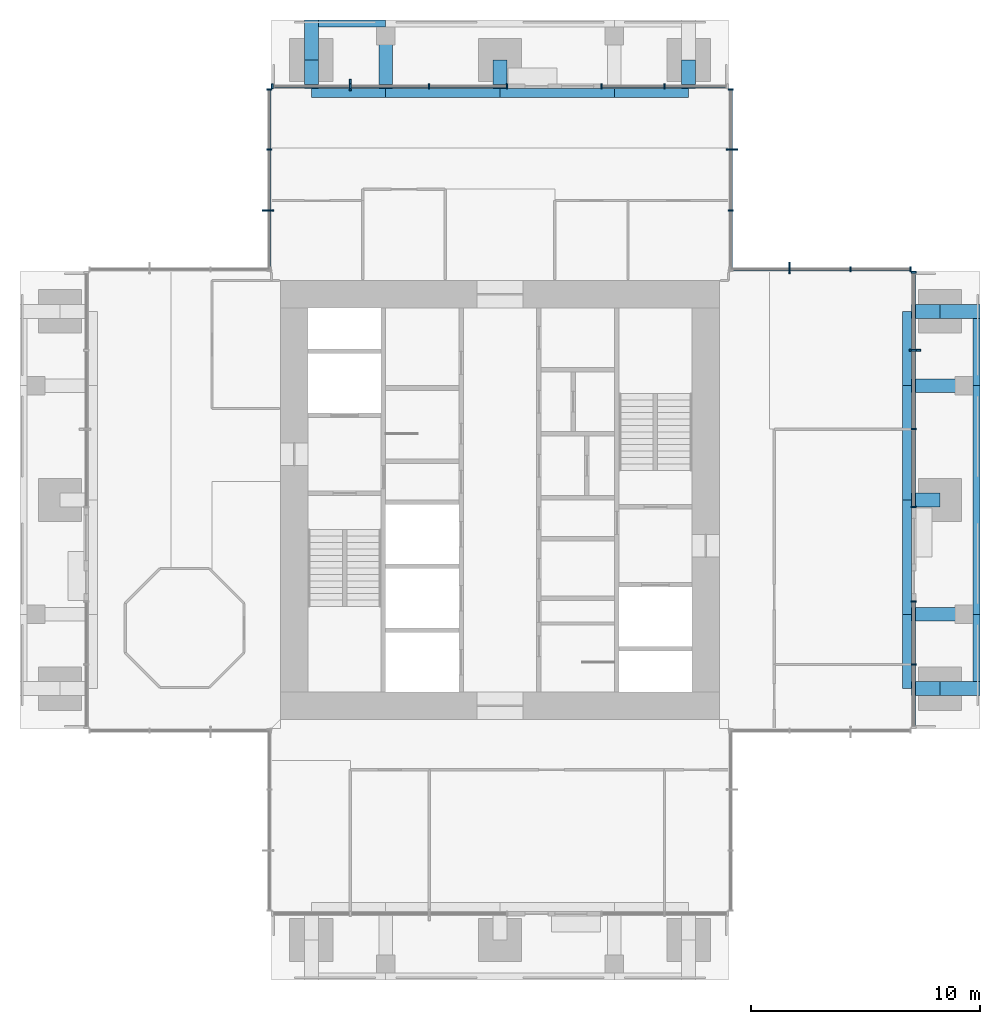
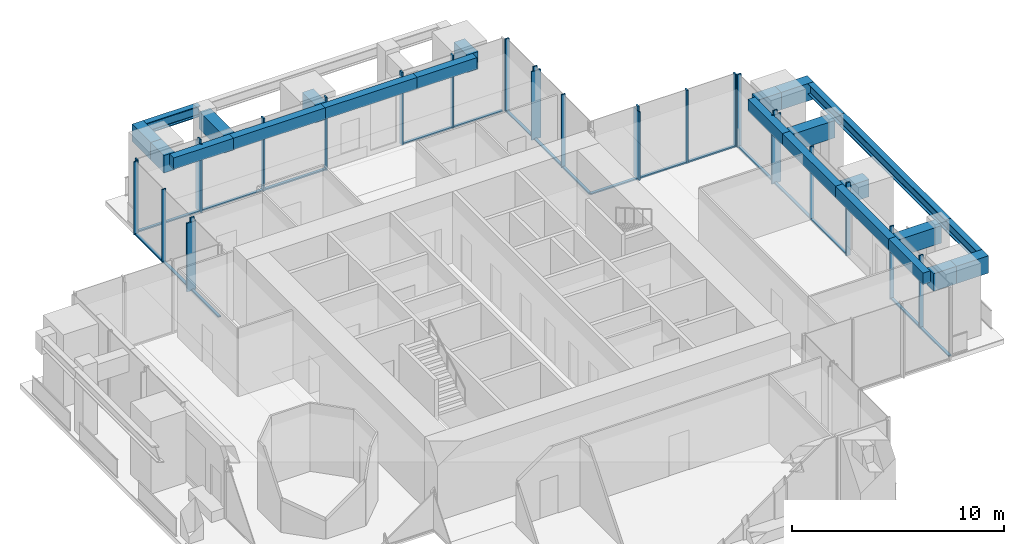
# One storey, part 4 of 12: 45 members, 24 beams, 7 elements without a shape of their own.
"""IFC4 building model written with IfcOpenShell, lengths in metres."""

from ifc_helpers import new_model, si_unit, direction, frame, origin, origin_2d, place, context, subcontext, project, spatial, rectangle, i_section, extrude, material, material_profile, profile_set, type_object, element, aggregate, save


model = new_model("IFC4")

# Units and contexts
model_context = context("Model", 3, precision=1e-05, world=origin(), true_north=direction((0.0, 1.0)))
body_context = subcontext(model_context, "Body", "Model", "MODEL_VIEW")
ifc_project = project(units=[si_unit("LENGTHUNIT", "METRE"), si_unit("AREAUNIT", "SQUARE_METRE"), si_unit("VOLUMEUNIT", "CUBIC_METRE"), si_unit("PLANEANGLEUNIT", "RADIAN"), si_unit("MASSUNIT", "GRAM", prefix="KILO")], contexts=[model_context])

# Site, building, storey
site_placement = place(None, origin())
site = spatial("IfcSite", under=ifc_project, at=site_placement, CompositionType="ELEMENT")
building_placement = place(site_placement, origin())
building = spatial("IfcBuilding", under=site, at=building_placement, Name="Svetlomir Tower", CompositionType="ELEMENT")
storey_placement = place(building_placement, frame((0.0, 0.0, 269.199951171875)))
storey = spatial("IfcBuildingStorey", under=building, at=storey_placement, Name="L64", CompositionType="ELEMENT", Elevation=269.199951171875)

# Curtain wall, member
ifc_material_1 = material(Name="Bronze anodised aluminium curtain wall", Category="aluminium")
curtain_wall_type = type_object("IfcCurtainWallType", Name="CURTAIN WALL CW4 EXECUTIVE", PredefinedType="NOTDEFINED", material=ifc_material_1)
curtain_wall_1_placement = place(storey_placement, origin())
curtain_wall_1 = element("IfcCurtainWall", 1, at=curtain_wall_1_placement, inside=storey, type_object=curtain_wall_type, Name="Curtain wall CW4 L64", PredefinedType="NOTDEFINED")
ifc_material_2 = material(Name="Bronze anodised aluminium", Category="aluminium")
ifc_material_profile_1 = material_profile(ifc_material_2, rectangle(XDim=0.080078125, YDim=0.5, at=origin_2d()), Name="FIN 80x500")
ifc_profile_set_1 = profile_set([ifc_material_profile_1], Name="Bronze anodised aluminium 6063-T6")
member_type_1 = type_object("IfcMemberType", Name="BRONZE FIN 80x500", PredefinedType="USERDEFINED", material=ifc_profile_set_1)
member_1_placement = place(storey_placement, frame((39.14990234375, 27.550048828125, 0.0), z_axis=(0.0, 0.0, 1.0), x_axis=(0.0, 1.0, 0.0)))
member_1 = element("IfcMember", 2, at=member_1_placement, type_object=member_type_1, Name="Bronze fin L64", ObjectType="FIN", PredefinedType="USERDEFINED", context=body_context, shape_type="SweptSolid", body=[
    extrude(rectangle(XDim=0.080078125, YDim=0.5, at=origin_2d()), origin(), (0.0, 0.0, 1.0), 3.949951171875),
])

curtain_wall_2_placement = place(storey_placement, origin())
curtain_wall_2 = element("IfcCurtainWall", 3, at=curtain_wall_2_placement, inside=storey, type_object=curtain_wall_type, Name="Curtain wall CW4 L64", PredefinedType="NOTDEFINED")
member_2_placement = place(storey_placement, frame((33.666748046875, 31.14990234375, 0.0), z_axis=(0.0, 0.0, 1.0), x_axis=(1.0, 0.0, 0.0)))
member_2 = element("IfcMember", 4, at=member_2_placement, type_object=member_type_1, Name="Bronze fin L64", ObjectType="FIN", PredefinedType="USERDEFINED", context=body_context, shape_type="SweptSolid", body=[
    extrude(rectangle(XDim=0.080078125, YDim=0.5, at=origin_2d()), origin(), (0.0, 0.0, 1.0), 3.949951171875),
])

curtain_wall_3_placement = place(storey_placement, origin())
curtain_wall_3 = element("IfcCurtainWall", 5, at=curtain_wall_3_placement, inside=storey, type_object=curtain_wall_type, Name="Curtain wall CW4 L64", PredefinedType="NOTDEFINED")
member_3_placement = place(storey_placement, frame((31.14990234375, 36.333251953125, 0.0), z_axis=(0.0, 0.0, 1.0), x_axis=(0.0, 1.0, 0.0)))
member_3 = element("IfcMember", 6, at=member_3_placement, type_object=member_type_1, Name="Bronze fin L64", ObjectType="FIN", PredefinedType="USERDEFINED", context=body_context, shape_type="SweptSolid", body=[
    extrude(rectangle(XDim=0.080078125, YDim=0.5, at=origin_2d()), origin(), (0.0, 0.0, 1.0), 3.949951171875),
])

curtain_wall_4_placement = place(storey_placement, origin())
curtain_wall_4 = element("IfcCurtainWall", 7, at=curtain_wall_4_placement, inside=storey, type_object=curtain_wall_type, Name="Curtain wall CW4 L64", PredefinedType="NOTDEFINED")
member_4_placement = place(storey_placement, frame((14.449951171875, 39.14990234375, 0.0), z_axis=(0.0, 0.0, 1.0), x_axis=(1.0, 0.0, 0.0)))
member_4 = element("IfcMember", 8, at=member_4_placement, type_object=member_type_1, Name="Bronze fin L64", ObjectType="FIN", PredefinedType="USERDEFINED", context=body_context, shape_type="SweptSolid", body=[
    extrude(rectangle(XDim=0.080078125, YDim=0.5, at=origin_2d()), origin(), (0.0, 0.0, 1.0), 3.949951171875),
])

curtain_wall_5_placement = place(storey_placement, origin())
curtain_wall_5 = element("IfcCurtainWall", 9, at=curtain_wall_5_placement, inside=storey, type_object=curtain_wall_type, Name="Curtain wall CW4 L64", PredefinedType="NOTDEFINED")
member_5_placement = place(storey_placement, frame((10.85009765625, 33.666748046875, 0.0), z_axis=(0.0, 0.0, 1.0), x_axis=(0.0, 1.0, 0.0)))
member_5 = element("IfcMember", 10, at=member_5_placement, type_object=member_type_1, Name="Bronze fin L64", ObjectType="FIN", PredefinedType="USERDEFINED", context=body_context, shape_type="SweptSolid", body=[
    extrude(rectangle(XDim=0.080078125, YDim=0.5, at=origin_2d()), origin(), (0.0, 0.0, 1.0), 3.949951171875),
])

# Curtain wall, members
curtain_wall_6_placement = place(storey_placement, origin())
curtain_wall_6 = element("IfcCurtainWall", 11, at=curtain_wall_6_placement, inside=storey, type_object=curtain_wall_type, Name="Curtain wall CW4 L64", PredefinedType="NOTDEFINED")
ifc_material_3 = material(Name="Bronze anodised aluminium", Category="aluminium")
ifc_material_profile_2 = material_profile(ifc_material_3, rectangle(XDim=0.074951171875, YDim=0.219970703125, at=origin_2d()), Name="AL 75x220")
ifc_profile_set_2 = profile_set([ifc_material_profile_2], Name="Bronze anodised aluminium 6063-T6")
member_type_2 = type_object("IfcMemberType", Name="CW4 MULLION 75x220", PredefinedType="MULLION", material=ifc_profile_set_2)
member_6_placement = place(storey_placement, frame((39.10009765625, 13.800048828125, 0.0), z_axis=(0.0, 0.0, 1.0), x_axis=(0.0, 1.0, 0.0)))
member_6 = element("IfcMember", 12, at=member_6_placement, type_object=member_type_2, Name="CW4 mullion 2", PredefinedType="MULLION", context=body_context, shape_type="SweptSolid", body=[
    extrude(rectangle(XDim=0.074951171875, YDim=0.219970703125, at=origin_2d()), origin(), (0.0, 0.0, 1.0), 4.199951171875),
])
member_7_placement = place(storey_placement, frame((39.10009765625, 16.5625, 0.0), z_axis=(0.0, 0.0, 1.0), x_axis=(0.0, 1.0, 0.0)))
member_7 = element("IfcMember", 13, at=member_7_placement, type_object=member_type_2, Name="CW4 mullion 3", PredefinedType="MULLION", context=body_context, shape_type="SweptSolid", body=[
    extrude(rectangle(XDim=0.074951171875, YDim=0.219970703125, at=origin_2d()), origin(), (0.0, 0.0, 1.0), 4.199951171875),
])

# Member
member_8_placement = place(storey_placement, frame((39.10009765625, 20.6875, 0.0), z_axis=(0.0, 0.0, 1.0), x_axis=(0.0, 1.0, 0.0)))
member_8 = element("IfcMember", 14, at=member_8_placement, type_object=member_type_2, Name="CW4 mullion 1", PredefinedType="MULLION", context=body_context, shape_type="SweptSolid", body=[
    extrude(rectangle(XDim=0.074951171875, YDim=0.219970703125, at=origin_2d()), origin(), (0.0, 0.0, 1.0), 4.199951171875),
])

member_9_placement = place(storey_placement, frame((39.10009765625, 24.10009765625, 0.0), z_axis=(0.0, 0.0, 1.0), x_axis=(0.0, 1.0, 0.0)))
member_9 = element("IfcMember", 15, at=member_9_placement, type_object=member_type_2, Name="CW4 mullion 2", PredefinedType="MULLION", context=body_context, shape_type="SweptSolid", body=[
    extrude(rectangle(XDim=0.074951171875, YDim=0.219970703125, at=origin_2d()), origin(), (0.0, 0.0, 1.0), 4.199951171875),
])

member_10_placement = place(storey_placement, frame((39.10009765625, 27.550048828125, 0.0), z_axis=(0.0, 0.0, 1.0), x_axis=(0.0, 1.0, 0.0)))
member_10 = element("IfcMember", 16, at=member_10_placement, type_object=member_type_2, Name="CW4 mullion 3", PredefinedType="MULLION", context=body_context, shape_type="SweptSolid", body=[
    extrude(rectangle(XDim=0.074951171875, YDim=0.219970703125, at=origin_2d()), origin(), (0.0, 0.0, 1.0), 4.199951171875),
])

member_11_placement = place(storey_placement, frame((39.10009765625, 30.96240234375, 0.0), z_axis=(0.0, 0.0, 1.0), x_axis=(0.0, 1.0, 0.0)))
member_11 = element("IfcMember", 17, at=member_11_placement, type_object=member_type_2, Name="CW4 mullion 4", PredefinedType="MULLION", context=body_context, shape_type="SweptSolid", body=[
    extrude(rectangle(XDim=0.074951171875, YDim=0.219970703125, at=origin_2d()), origin(), (0.0, 0.0, 1.0), 4.199951171875),
])

member_12_placement = place(storey_placement, frame((38.96240234375, 31.10009765625, 0.0), z_axis=(0.0, 0.0, 1.0), x_axis=(-1.0, 0.0, 0.0)))
member_12 = element("IfcMember", 18, at=member_12_placement, type_object=member_type_2, Name="CW4 mullion 1", PredefinedType="MULLION", context=body_context, shape_type="SweptSolid", body=[
    extrude(rectangle(XDim=0.074951171875, YDim=0.219970703125, at=origin_2d()), origin(), (0.0, 0.0, 1.0), 4.199951171875),
])

member_13_placement = place(storey_placement, frame((36.333251953125, 31.10009765625, 0.0), z_axis=(0.0, 0.0, 1.0), x_axis=(-1.0, 0.0, 0.0)))
member_13 = element("IfcMember", 19, at=member_13_placement, type_object=member_type_2, Name="CW4 mullion 2", PredefinedType="MULLION", context=body_context, shape_type="SweptSolid", body=[
    extrude(rectangle(XDim=0.074951171875, YDim=0.219970703125, at=origin_2d()), origin(), (0.0, 0.0, 1.0), 4.199951171875),
])

member_14_placement = place(storey_placement, frame((33.666748046875, 31.10009765625, 0.0), z_axis=(0.0, 0.0, 1.0), x_axis=(-1.0, 0.0, 0.0)))
member_14 = element("IfcMember", 20, at=member_14_placement, type_object=member_type_2, Name="CW4 mullion 3", PredefinedType="MULLION", context=body_context, shape_type="SweptSolid", body=[
    extrude(rectangle(XDim=0.074951171875, YDim=0.219970703125, at=origin_2d()), origin(), (0.0, 0.0, 1.0), 4.199951171875),
])

member_15_placement = place(storey_placement, frame((31.10009765625, 33.666748046875, 0.0), z_axis=(0.0, 0.0, 1.0), x_axis=(0.0, 1.0, 0.0)))
member_15 = element("IfcMember", 21, at=member_15_placement, type_object=member_type_2, Name="CW4 mullion 2", PredefinedType="MULLION", context=body_context, shape_type="SweptSolid", body=[
    extrude(rectangle(XDim=0.074951171875, YDim=0.219970703125, at=origin_2d()), origin(), (0.0, 0.0, 1.0), 4.199951171875),
])

member_16_placement = place(storey_placement, frame((31.10009765625, 36.333251953125, 0.0), z_axis=(0.0, 0.0, 1.0), x_axis=(0.0, 1.0, 0.0)))
member_16 = element("IfcMember", 22, at=member_16_placement, type_object=member_type_2, Name="CW4 mullion 3", PredefinedType="MULLION", context=body_context, shape_type="SweptSolid", body=[
    extrude(rectangle(XDim=0.074951171875, YDim=0.219970703125, at=origin_2d()), origin(), (0.0, 0.0, 1.0), 4.199951171875),
])

member_17_placement = place(storey_placement, frame((31.10009765625, 38.96240234375, 0.0), z_axis=(0.0, 0.0, 1.0), x_axis=(0.0, 1.0, 0.0)))
member_17 = element("IfcMember", 23, at=member_17_placement, type_object=member_type_2, Name="CW4 mullion 4", PredefinedType="MULLION", context=body_context, shape_type="SweptSolid", body=[
    extrude(rectangle(XDim=0.074951171875, YDim=0.219970703125, at=origin_2d()), origin(), (0.0, 0.0, 1.0), 4.199951171875),
])

# Curtain wall, members
curtain_wall_7_placement = place(storey_placement, origin())
curtain_wall_7 = element("IfcCurtainWall", 24, at=curtain_wall_7_placement, inside=storey, type_object=curtain_wall_type, Name="Curtain wall CW4 L64", PredefinedType="NOTDEFINED")
member_18_placement = place(storey_placement, frame((28.199951171875, 39.10009765625, 0.0), z_axis=(0.0, 0.0, 1.0), x_axis=(-1.0, 0.0, 0.0)))
member_18 = element("IfcMember", 25, at=member_18_placement, type_object=member_type_2, Name="CW4 mullion 2", PredefinedType="MULLION", context=body_context, shape_type="SweptSolid", body=[
    extrude(rectangle(XDim=0.074951171875, YDim=0.219970703125, at=origin_2d()), origin(), (0.0, 0.0, 1.0), 4.199951171875),
])
member_19_placement = place(storey_placement, frame((25.4375, 39.10009765625, 0.0), z_axis=(0.0, 0.0, 1.0), x_axis=(-1.0, 0.0, 0.0)))
member_19 = element("IfcMember", 26, at=member_19_placement, type_object=member_type_2, Name="CW4 mullion 3", PredefinedType="MULLION", context=body_context, shape_type="SweptSolid", body=[
    extrude(rectangle(XDim=0.074951171875, YDim=0.219970703125, at=origin_2d()), origin(), (0.0, 0.0, 1.0), 4.199951171875),
])

# Member
member_20_placement = place(storey_placement, frame((21.3125, 39.10009765625, 0.0), z_axis=(0.0, 0.0, 1.0), x_axis=(-1.0, 0.0, 0.0)))
member_20 = element("IfcMember", 27, at=member_20_placement, type_object=member_type_2, Name="CW4 mullion 1", PredefinedType="MULLION", context=body_context, shape_type="SweptSolid", body=[
    extrude(rectangle(XDim=0.074951171875, YDim=0.219970703125, at=origin_2d()), origin(), (0.0, 0.0, 1.0), 4.199951171875),
])

member_21_placement = place(storey_placement, frame((17.89990234375, 39.10009765625, 0.0), z_axis=(0.0, 0.0, 1.0), x_axis=(-1.0, 0.0, 0.0)))
member_21 = element("IfcMember", 28, at=member_21_placement, type_object=member_type_2, Name="CW4 mullion 2", PredefinedType="MULLION", context=body_context, shape_type="SweptSolid", body=[
    extrude(rectangle(XDim=0.074951171875, YDim=0.219970703125, at=origin_2d()), origin(), (0.0, 0.0, 1.0), 4.199951171875),
])

member_22_placement = place(storey_placement, frame((14.449951171875, 39.10009765625, 0.0), z_axis=(0.0, 0.0, 1.0), x_axis=(-1.0, 0.0, 0.0)))
member_22 = element("IfcMember", 29, at=member_22_placement, type_object=member_type_2, Name="CW4 mullion 3", PredefinedType="MULLION", context=body_context, shape_type="SweptSolid", body=[
    extrude(rectangle(XDim=0.074951171875, YDim=0.219970703125, at=origin_2d()), origin(), (0.0, 0.0, 1.0), 4.199951171875),
])

member_23_placement = place(storey_placement, frame((11.03759765625, 39.10009765625, 0.0), z_axis=(0.0, 0.0, 1.0), x_axis=(-1.0, 0.0, 0.0)))
member_23 = element("IfcMember", 30, at=member_23_placement, type_object=member_type_2, Name="CW4 mullion 4", PredefinedType="MULLION", context=body_context, shape_type="SweptSolid", body=[
    extrude(rectangle(XDim=0.074951171875, YDim=0.219970703125, at=origin_2d()), origin(), (0.0, 0.0, 1.0), 4.199951171875),
])

member_24_placement = place(storey_placement, frame((10.89990234375, 38.96240234375, 0.0), z_axis=(0.0, 0.0, 1.0), x_axis=(0.0, -1.0, 0.0)))
member_24 = element("IfcMember", 31, at=member_24_placement, type_object=member_type_2, Name="CW4 mullion 1", PredefinedType="MULLION", context=body_context, shape_type="SweptSolid", body=[
    extrude(rectangle(XDim=0.074951171875, YDim=0.219970703125, at=origin_2d()), origin(), (0.0, 0.0, 1.0), 4.199951171875),
])

member_25_placement = place(storey_placement, frame((10.89990234375, 36.333251953125, 0.0), z_axis=(0.0, 0.0, 1.0), x_axis=(0.0, -1.0, 0.0)))
member_25 = element("IfcMember", 32, at=member_25_placement, type_object=member_type_2, Name="CW4 mullion 2", PredefinedType="MULLION", context=body_context, shape_type="SweptSolid", body=[
    extrude(rectangle(XDim=0.074951171875, YDim=0.219970703125, at=origin_2d()), origin(), (0.0, 0.0, 1.0), 4.199951171875),
])

member_26_placement = place(storey_placement, frame((10.89990234375, 33.666748046875, 0.0), z_axis=(0.0, 0.0, 1.0), x_axis=(0.0, -1.0, 0.0)))
member_26 = element("IfcMember", 33, at=member_26_placement, type_object=member_type_2, Name="CW4 mullion 3", PredefinedType="MULLION", context=body_context, shape_type="SweptSolid", body=[
    extrude(rectangle(XDim=0.074951171875, YDim=0.219970703125, at=origin_2d()), origin(), (0.0, 0.0, 1.0), 4.199951171875),
])

ifc_material_4 = material(Name="Bronze anodised aluminium", Category="aluminium")
ifc_material_profile_3 = material_profile(ifc_material_4, rectangle(XDim=0.14990234375, YDim=0.074951171875, at=origin_2d()), Name="AL 150x75")
ifc_profile_set_3 = profile_set([ifc_material_profile_3], Name="Bronze anodised aluminium 6063-T6")
member_type_3 = type_object("IfcMemberType", Name="CW4 TRANSOM 75x150", PredefinedType="USERDEFINED", material=ifc_profile_set_3)
member_27_placement = place(storey_placement, frame((39.10009765625, 11.074951171875, 0.03759765625), z_axis=(0.0, 1.0, 0.0), x_axis=(-1.0, 0.0, 0.0)))
member_27 = element("IfcMember", 34, at=member_27_placement, type_object=member_type_3, Name="CW4 transom 1.1", ObjectType="TRANSOM", PredefinedType="USERDEFINED", context=body_context, shape_type="SweptSolid", body=[
    extrude(rectangle(XDim=0.14990234375, YDim=0.074951171875, at=origin_2d()), origin(), (0.0, 0.0, 1.0), 2.6875),
])

member_28_placement = place(storey_placement, frame((39.10009765625, 13.83740234375, 0.03759765625), z_axis=(0.0, 1.0, 0.0), x_axis=(-1.0, 0.0, 0.0)))
member_28 = element("IfcMember", 35, at=member_28_placement, type_object=member_type_3, Name="CW4 transom 2.1", ObjectType="TRANSOM", PredefinedType="USERDEFINED", context=body_context, shape_type="SweptSolid", body=[
    extrude(rectangle(XDim=0.14990234375, YDim=0.074951171875, at=origin_2d()), origin(), (0.0, 0.0, 1.0), 2.6875),
])

aggregate(curtain_wall_6, [member_6, member_7, member_27, member_28])

member_29_placement = place(storey_placement, frame((39.10009765625, 20.72509765625, 0.03759765625), z_axis=(0.0, 1.0, 0.0), x_axis=(-1.0, 0.0, 0.0)))
member_29 = element("IfcMember", 36, at=member_29_placement, type_object=member_type_3, Name="CW4 transom 1.1", ObjectType="TRANSOM", PredefinedType="USERDEFINED", context=body_context, shape_type="SweptSolid", body=[
    extrude(rectangle(XDim=0.14990234375, YDim=0.074951171875, at=origin_2d()), origin(), (0.0, 0.0, 1.0), 3.33740234375),
])

member_30_placement = place(storey_placement, frame((39.10009765625, 24.137451171875, 0.03759765625), z_axis=(0.0, 1.0, 0.0), x_axis=(-1.0, 0.0, 0.0)))
member_30 = element("IfcMember", 37, at=member_30_placement, type_object=member_type_3, Name="CW4 transom 2.1", ObjectType="TRANSOM", PredefinedType="USERDEFINED", context=body_context, shape_type="SweptSolid", body=[
    extrude(rectangle(XDim=0.14990234375, YDim=0.074951171875, at=origin_2d()), origin(), (0.0, 0.0, 1.0), 3.375),
])

member_31_placement = place(storey_placement, frame((39.10009765625, 27.58740234375, 0.03759765625), z_axis=(0.0, 1.0, 0.0), x_axis=(-1.0, 0.0, 0.0)))
member_31 = element("IfcMember", 38, at=member_31_placement, type_object=member_type_3, Name="CW4 transom 3.1", ObjectType="TRANSOM", PredefinedType="USERDEFINED", context=body_context, shape_type="SweptSolid", body=[
    extrude(rectangle(XDim=0.14990234375, YDim=0.074951171875, at=origin_2d()), origin(), (0.0, 0.0, 1.0), 3.337646484375),
])

aggregate(curtain_wall_1, [member_8, member_9, member_10, member_11, member_29, member_30, member_31, member_1])

member_32_placement = place(storey_placement, frame((38.925048828125, 31.10009765625, 0.03759765625), z_axis=(-1.0, 0.0, 0.0), x_axis=(0.0, -1.0, 0.0)))
member_32 = element("IfcMember", 39, at=member_32_placement, type_object=member_type_3, Name="CW4 transom 1.1", ObjectType="TRANSOM", PredefinedType="USERDEFINED", context=body_context, shape_type="SweptSolid", body=[
    extrude(rectangle(XDim=0.14990234375, YDim=0.074951171875, at=origin_2d()), origin(), (0.0, 0.0, 1.0), 2.55419921875),
])

member_33_placement = place(storey_placement, frame((36.2958984375, 31.10009765625, 0.03759765625), z_axis=(-1.0, 0.0, 0.0), x_axis=(0.0, -1.0, 0.0)))
member_33 = element("IfcMember", 40, at=member_33_placement, type_object=member_type_3, Name="CW4 transom 2.1", ObjectType="TRANSOM", PredefinedType="USERDEFINED", context=body_context, shape_type="SweptSolid", body=[
    extrude(rectangle(XDim=0.14990234375, YDim=0.074951171875, at=origin_2d()), origin(), (0.0, 0.0, 1.0), 2.591796875),
])

member_34_placement = place(storey_placement, frame((33.629150390625, 31.10009765625, 0.03759765625), z_axis=(-1.0, 0.0, 0.0), x_axis=(0.0, -1.0, 0.0)))
member_34 = element("IfcMember", 41, at=member_34_placement, type_object=member_type_3, Name="CW4 transom 3.1", ObjectType="TRANSOM", PredefinedType="USERDEFINED", context=body_context, shape_type="SweptSolid", body=[
    extrude(rectangle(XDim=0.14990234375, YDim=0.074951171875, at=origin_2d()), origin(), (0.0, 0.0, 1.0), 2.55419921875),
])

aggregate(curtain_wall_2, [member_12, member_13, member_14, member_32, member_33, member_34, member_2])

member_35_placement = place(storey_placement, frame((31.10009765625, 31.074951171875, 0.03759765625), z_axis=(0.0, 1.0, 0.0), x_axis=(-1.0, 0.0, 0.0)))
member_35 = element("IfcMember", 42, at=member_35_placement, type_object=member_type_3, Name="CW4 transom 1.1", ObjectType="TRANSOM", PredefinedType="USERDEFINED", context=body_context, shape_type="SweptSolid", body=[
    extrude(rectangle(XDim=0.14990234375, YDim=0.074951171875, at=origin_2d()), origin(), (0.0, 0.0, 1.0), 2.55419921875),
])

member_36_placement = place(storey_placement, frame((31.10009765625, 33.7041015625, 0.03759765625), z_axis=(0.0, 1.0, 0.0), x_axis=(-1.0, 0.0, 0.0)))
member_36 = element("IfcMember", 43, at=member_36_placement, type_object=member_type_3, Name="CW4 transom 2.1", ObjectType="TRANSOM", PredefinedType="USERDEFINED", context=body_context, shape_type="SweptSolid", body=[
    extrude(rectangle(XDim=0.14990234375, YDim=0.074951171875, at=origin_2d()), origin(), (0.0, 0.0, 1.0), 2.591796875),
])

member_37_placement = place(storey_placement, frame((31.10009765625, 36.370849609375, 0.03759765625), z_axis=(0.0, 1.0, 0.0), x_axis=(-1.0, 0.0, 0.0)))
member_37 = element("IfcMember", 44, at=member_37_placement, type_object=member_type_3, Name="CW4 transom 3.1", ObjectType="TRANSOM", PredefinedType="USERDEFINED", context=body_context, shape_type="SweptSolid", body=[
    extrude(rectangle(XDim=0.14990234375, YDim=0.074951171875, at=origin_2d()), origin(), (0.0, 0.0, 1.0), 2.55419921875),
])

aggregate(curtain_wall_3, [member_15, member_16, member_17, member_35, member_36, member_37, member_3])

member_38_placement = place(storey_placement, frame((30.925048828125, 39.10009765625, 0.03759765625), z_axis=(-1.0, 0.0, 0.0), x_axis=(0.0, -1.0, 0.0)))
member_38 = element("IfcMember", 45, at=member_38_placement, type_object=member_type_3, Name="CW4 transom 1.1", ObjectType="TRANSOM", PredefinedType="USERDEFINED", context=body_context, shape_type="SweptSolid", body=[
    extrude(rectangle(XDim=0.14990234375, YDim=0.074951171875, at=origin_2d()), origin(), (0.0, 0.0, 1.0), 2.6875),
])

member_39_placement = place(storey_placement, frame((28.16259765625, 39.10009765625, 0.03759765625), z_axis=(-1.0, 0.0, 0.0), x_axis=(0.0, -1.0, 0.0)))
member_39 = element("IfcMember", 46, at=member_39_placement, type_object=member_type_3, Name="CW4 transom 2.1", ObjectType="TRANSOM", PredefinedType="USERDEFINED", context=body_context, shape_type="SweptSolid", body=[
    extrude(rectangle(XDim=0.14990234375, YDim=0.074951171875, at=origin_2d()), origin(), (0.0, 0.0, 1.0), 2.6875),
])

aggregate(curtain_wall_7, [member_18, member_19, member_38, member_39])

member_40_placement = place(storey_placement, frame((21.27490234375, 39.10009765625, 0.03759765625), z_axis=(-1.0, 0.0, 0.0), x_axis=(0.0, -1.0, 0.0)))
member_40 = element("IfcMember", 47, at=member_40_placement, type_object=member_type_3, Name="CW4 transom 1.1", ObjectType="TRANSOM", PredefinedType="USERDEFINED", context=body_context, shape_type="SweptSolid", body=[
    extrude(rectangle(XDim=0.14990234375, YDim=0.074951171875, at=origin_2d()), origin(), (0.0, 0.0, 1.0), 3.33740234375),
])

member_41_placement = place(storey_placement, frame((17.862548828125, 39.10009765625, 0.03759765625), z_axis=(-1.0, 0.0, 0.0), x_axis=(0.0, -1.0, 0.0)))
member_41 = element("IfcMember", 48, at=member_41_placement, type_object=member_type_3, Name="CW4 transom 2.1", ObjectType="TRANSOM", PredefinedType="USERDEFINED", context=body_context, shape_type="SweptSolid", body=[
    extrude(rectangle(XDim=0.14990234375, YDim=0.074951171875, at=origin_2d()), origin(), (0.0, 0.0, 1.0), 3.375),
])

member_42_placement = place(storey_placement, frame((14.41259765625, 39.10009765625, 0.03759765625), z_axis=(-1.0, 0.0, 0.0), x_axis=(0.0, -1.0, 0.0)))
member_42 = element("IfcMember", 49, at=member_42_placement, type_object=member_type_3, Name="CW4 transom 3.1", ObjectType="TRANSOM", PredefinedType="USERDEFINED", context=body_context, shape_type="SweptSolid", body=[
    extrude(rectangle(XDim=0.14990234375, YDim=0.074951171875, at=origin_2d()), origin(), (0.0, 0.0, 1.0), 3.337646484375),
])

aggregate(curtain_wall_4, [member_20, member_21, member_22, member_23, member_40, member_41, member_42, member_4])

member_43_placement = place(storey_placement, frame((10.89990234375, 38.925048828125, 0.03759765625), z_axis=(0.0, -1.0, 0.0), x_axis=(1.0, 0.0, 0.0)))
member_43 = element("IfcMember", 50, at=member_43_placement, type_object=member_type_3, Name="CW4 transom 1.1", ObjectType="TRANSOM", PredefinedType="USERDEFINED", context=body_context, shape_type="SweptSolid", body=[
    extrude(rectangle(XDim=0.14990234375, YDim=0.074951171875, at=origin_2d()), origin(), (0.0, 0.0, 1.0), 2.55419921875),
])

member_44_placement = place(storey_placement, frame((10.89990234375, 36.2958984375, 0.03759765625), z_axis=(0.0, -1.0, 0.0), x_axis=(1.0, 0.0, 0.0)))
member_44 = element("IfcMember", 51, at=member_44_placement, type_object=member_type_3, Name="CW4 transom 2.1", ObjectType="TRANSOM", PredefinedType="USERDEFINED", context=body_context, shape_type="SweptSolid", body=[
    extrude(rectangle(XDim=0.14990234375, YDim=0.074951171875, at=origin_2d()), origin(), (0.0, 0.0, 1.0), 2.591796875),
])

member_45_placement = place(storey_placement, frame((10.89990234375, 33.629150390625, 0.03759765625), z_axis=(0.0, -1.0, 0.0), x_axis=(1.0, 0.0, 0.0)))
member_45 = element("IfcMember", 52, at=member_45_placement, type_object=member_type_3, Name="CW4 transom 3.1", ObjectType="TRANSOM", PredefinedType="USERDEFINED", context=body_context, shape_type="SweptSolid", body=[
    extrude(rectangle(XDim=0.14990234375, YDim=0.074951171875, at=origin_2d()), origin(), (0.0, 0.0, 1.0), 2.55419921875),
])

aggregate(curtain_wall_5, [member_24, member_25, member_26, member_43, member_44, member_45, member_5])

# Beams
ifc_material_5 = material(Name="Steel S355", Category="steel")
ifc_material_profile_4 = material_profile(ifc_material_5, i_section(OverallWidth=0.304931640625, OverallDepth=0.6201171875, WebThickness=0.02099609375, FlangeThickness=0.0400390625, FilletRadius=0.027099609375, at=origin_2d()), Name="HEM 600")
ifc_profile_set_4 = profile_set([ifc_material_profile_4], Name="Steel S355")
beam_type_1 = type_object("IfcBeamType", Name="EDGE BEAM HEM 600", PredefinedType="SPANDREL", material=ifc_profile_set_4)
for number, where, z_axis, x_axis, name in (
    (53, (41.847412109375, 13.050048828125, 3.64013671875), (0.0, 1.0, 0.0), (-1.0, 0.0, 0.0), "Edge beam 42/11 to 42/16 under L65"),
    (54, (13.050048828125, 41.847412109375, 3.64013671875), (1.0, 0.0, 0.0), (0.0, 1.0, 0.0), "Edge beam 11/42 to 16/42 under L65"),
):
    element("IfcBeam", number, at=place(storey_placement, frame(where, z_axis=z_axis, x_axis=x_axis)), inside=storey, type_object=beam_type_1, Name=name, PredefinedType="SPANDREL", context=body_context, shape_type="SweptSolid", body=[
        extrude(i_section(OverallWidth=0.304931640625, OverallDepth=0.6201171875, WebThickness=0.02099609375, FlangeThickness=0.0400390625, FilletRadius=0.027099609375, at=origin_2d()), origin(), (0.0, 0.0, 1.0), 2.949951171875),
    ])
beam_1_placement = place(storey_placement, frame((41.847412109375, 16.0, 3.64013671875), z_axis=(0.0, 1.0, 0.0), x_axis=(-1.0, 0.0, 0.0)))
element("IfcBeam", 55, at=beam_1_placement, inside=storey, type_object=beam_type_1, Name="Edge beam 42/16 to 42/26 under L65", PredefinedType="SPANDREL", context=body_context, shape_type="SweptSolid", body=[
    extrude(i_section(OverallWidth=0.304931640625, OverallDepth=0.6201171875, WebThickness=0.02099609375, FlangeThickness=0.0400390625, FilletRadius=0.027099609375, at=origin_2d()), origin(), (0.0, 0.0, 1.0), 10.0),
])
beam_2_placement = place(storey_placement, frame((41.847412109375, 26.0, 3.64013671875), z_axis=(0.0, 1.0, 0.0), x_axis=(-1.0, 0.0, 0.0)))
element("IfcBeam", 56, at=beam_2_placement, inside=storey, type_object=beam_type_1, Name="Edge beam 42/26 to 42/31 under L65", PredefinedType="SPANDREL", context=body_context, shape_type="SweptSolid", body=[
    extrude(i_section(OverallWidth=0.304931640625, OverallDepth=0.6201171875, WebThickness=0.02099609375, FlangeThickness=0.0400390625, FilletRadius=0.027099609375, at=origin_2d()), origin(), (0.0, 0.0, 1.0), 2.949951171875),
])
ifc_material_6 = material(Name="Concrete C60/75", Category="concrete")
ifc_material_profile_5 = material_profile(ifc_material_6, rectangle(XDim=0.60009765625, YDim=1.0, at=origin_2d()), Name="RC 600x1000")
ifc_profile_set_5 = profile_set([ifc_material_profile_5], Name="Concrete C60/75")
beam_type_2 = type_object("IfcBeamType", Name="EDGE LINK BEAM RC 600x1000", PredefinedType="BEAM", material=ifc_profile_set_5)
for number, where, z_axis, x_axis, name in (
    (57, (12.75, 40.25, 3.449951171875), (0.0, 1.0, 0.0), (-1.0, 0.0, 0.0), "Edge link beam N 11/42 under L65"),
    (58, (40.25, 12.75, 3.449951171875), (1.0, 0.0, 0.0), (0.0, 1.0, 0.0), "Edge link beam E 42/11 under L65"),
    (59, (40.25, 29.25, 3.449951171875), (1.0, 0.0, 0.0), (0.0, 1.0, 0.0), "Edge link beam E 42/31 under L65"),
):
    element("IfcBeam", number, at=place(storey_placement, frame(where, z_axis=z_axis, x_axis=x_axis)), inside=storey, type_object=beam_type_2, Name=name, PredefinedType="BEAM", context=body_context, shape_type="SweptSolid", body=[
        extrude(rectangle(XDim=0.60009765625, YDim=1.0, at=origin_2d()), origin(), (0.0, 0.0, 1.0), 1.75),
    ])
ifc_material_7 = material(Name="Concrete C60/75", Category="concrete")
ifc_material_profile_6 = material_profile(ifc_material_7, rectangle(XDim=0.39990234375, YDim=0.64990234375, at=origin_2d()), Name="RC 400x650")
ifc_profile_set_6 = profile_set([ifc_material_profile_6], Name="Concrete C60/75")
beam_type_3 = type_object("IfcBeamType", Name="FACADE EDGE BEAM RC 400x650", PredefinedType="BEAM", material=ifc_profile_set_6)
beam_3_placement = place(storey_placement, frame((12.75, 38.800048828125, 3.625), z_axis=(1.0, 0.0, 0.0), x_axis=(0.0, 1.0, 0.0)))
element("IfcBeam", 60, at=beam_3_placement, inside=storey, type_object=beam_type_3, Name="Facade edge beam N 11 to 16 under L65", PredefinedType="BEAM", context=body_context, shape_type="SweptSolid", body=[
    extrude(rectangle(XDim=0.39990234375, YDim=0.64990234375, at=origin_2d()), origin(), (0.0, 0.0, 1.0), 3.25),
])
for number, where, z_axis, x_axis, name in (
    (61, (16.0, 38.800048828125, 3.625), (1.0, 0.0, 0.0), (0.0, 1.0, 0.0), "Facade edge beam N 16 to 21 under L65"),
    (62, (21.0, 38.800048828125, 3.625), (1.0, 0.0, 0.0), (0.0, 1.0, 0.0), "Facade edge beam N 21 to 26 under L65"),
):
    element("IfcBeam", number, at=place(storey_placement, frame(where, z_axis=z_axis, x_axis=x_axis)), inside=storey, type_object=beam_type_3, Name=name, PredefinedType="BEAM", context=body_context, shape_type="SweptSolid", body=[
        extrude(rectangle(XDim=0.39990234375, YDim=0.64990234375, at=origin_2d()), origin(), (0.0, 0.0, 1.0), 5.0),
    ])
for number, where, z_axis, x_axis, name in (
    (63, (26.0, 38.800048828125, 3.625), (1.0, 0.0, 0.0), (0.0, 1.0, 0.0), "Facade edge beam N 26 to 31 under L65"),
    (64, (38.800048828125, 12.75, 3.625), (0.0, 1.0, 0.0), (-1.0, 0.0, 0.0), "Facade edge beam E 11 to 16 under L65"),
):
    element("IfcBeam", number, at=place(storey_placement, frame(where, z_axis=z_axis, x_axis=x_axis)), inside=storey, type_object=beam_type_3, Name=name, PredefinedType="BEAM", context=body_context, shape_type="SweptSolid", body=[
        extrude(rectangle(XDim=0.39990234375, YDim=0.64990234375, at=origin_2d()), origin(), (0.0, 0.0, 1.0), 3.25),
    ])
for number, where, z_axis, x_axis, name in (
    (65, (38.800048828125, 16.0, 3.625), (0.0, 1.0, 0.0), (-1.0, 0.0, 0.0), "Facade edge beam E 16 to 21 under L65"),
    (66, (38.800048828125, 21.0, 3.625), (0.0, 1.0, 0.0), (-1.0, 0.0, 0.0), "Facade edge beam E 21 to 26 under L65"),
):
    element("IfcBeam", number, at=place(storey_placement, frame(where, z_axis=z_axis, x_axis=x_axis)), inside=storey, type_object=beam_type_3, Name=name, PredefinedType="BEAM", context=body_context, shape_type="SweptSolid", body=[
        extrude(rectangle(XDim=0.39990234375, YDim=0.64990234375, at=origin_2d()), origin(), (0.0, 0.0, 1.0), 5.0),
    ])
beam_4_placement = place(storey_placement, frame((38.800048828125, 26.0, 3.625), z_axis=(0.0, 1.0, 0.0), x_axis=(-1.0, 0.0, 0.0)))
element("IfcBeam", 67, at=beam_4_placement, inside=storey, type_object=beam_type_3, Name="Facade edge beam E 26 to 31 under L65", PredefinedType="BEAM", context=body_context, shape_type="SweptSolid", body=[
    extrude(rectangle(XDim=0.39990234375, YDim=0.64990234375, at=origin_2d()), origin(), (0.0, 0.0, 1.0), 3.25),
])
ifc_material_8 = material(Name="Concrete C60/75", Category="concrete")
ifc_material_profile_7 = material_profile(ifc_material_8, rectangle(XDim=0.60009765625, YDim=1.0, at=origin_2d()), Name="RC 600x1000")
ifc_profile_set_7 = profile_set([ifc_material_profile_7], Name="Concrete C60/75")
beam_type_4 = type_object("IfcBeamType", Name="LOGGIA LINK BEAM RC 600x1000", PredefinedType="BEAM", material=ifc_profile_set_7)
beam_5_placement = place(storey_placement, frame((12.75, 40.25, 3.449951171875), z_axis=(0.0, -1.0, 0.0), x_axis=(1.0, 0.0, 0.0)))
element("IfcBeam", 68, at=beam_5_placement, inside=storey, type_object=beam_type_4, Name="Loggia link beam N 11 under L65", PredefinedType="BEAM", context=body_context, shape_type="SweptSolid", body=[
    extrude(rectangle(XDim=0.60009765625, YDim=1.0, at=origin_2d()), origin(), (0.0, 0.0, 1.0), 1.25),
])
beam_6_placement = place(storey_placement, frame((16.0, 41.300048828125, 3.449951171875), z_axis=(0.0, -1.0, 0.0), x_axis=(1.0, 0.0, 0.0)))
element("IfcBeam", 69, at=beam_6_placement, inside=storey, type_object=beam_type_4, Name="Loggia link beam N 16 under L65", PredefinedType="BEAM", context=body_context, shape_type="SweptSolid", body=[
    extrude(rectangle(XDim=0.60009765625, YDim=1.0, at=origin_2d()), origin(), (0.0, 0.0, 1.0), 2.300048828125),
])
for number, where, z_axis, x_axis, name in (
    (70, (21.0, 40.25, 3.449951171875), (0.0, -1.0, 0.0), (1.0, 0.0, 0.0), "Loggia link beam N 21 under L65"),
    (71, (29.25, 40.25, 3.449951171875), (0.0, -1.0, 0.0), (1.0, 0.0, 0.0), "Loggia link beam N 31 under L65"),
    (72, (40.25, 12.75, 3.449951171875), (-1.0, 0.0, 0.0), (0.0, -1.0, 0.0), "Loggia link beam E 11 under L65"),
):
    element("IfcBeam", number, at=place(storey_placement, frame(where, z_axis=z_axis, x_axis=x_axis)), inside=storey, type_object=beam_type_4, Name=name, PredefinedType="BEAM", context=body_context, shape_type="SweptSolid", body=[
        extrude(rectangle(XDim=0.60009765625, YDim=1.0, at=origin_2d()), origin(), (0.0, 0.0, 1.0), 1.25),
    ])
beam_7_placement = place(storey_placement, frame((41.300048828125, 16.0, 3.449951171875), z_axis=(-1.0, 0.0, 0.0), x_axis=(0.0, -1.0, 0.0)))
element("IfcBeam", 73, at=beam_7_placement, inside=storey, type_object=beam_type_4, Name="Loggia link beam E 16 under L65", PredefinedType="BEAM", context=body_context, shape_type="SweptSolid", body=[
    extrude(rectangle(XDim=0.60009765625, YDim=1.0, at=origin_2d()), origin(), (0.0, 0.0, 1.0), 2.300048828125),
])
beam_8_placement = place(storey_placement, frame((40.25, 21.0, 3.449951171875), z_axis=(-1.0, 0.0, 0.0), x_axis=(0.0, -1.0, 0.0)))
element("IfcBeam", 74, at=beam_8_placement, inside=storey, type_object=beam_type_4, Name="Loggia link beam E 21 under L65", PredefinedType="BEAM", context=body_context, shape_type="SweptSolid", body=[
    extrude(rectangle(XDim=0.60009765625, YDim=1.0, at=origin_2d()), origin(), (0.0, 0.0, 1.0), 1.25),
])
beam_9_placement = place(storey_placement, frame((41.300048828125, 26.0, 3.449951171875), z_axis=(-1.0, 0.0, 0.0), x_axis=(0.0, -1.0, 0.0)))
element("IfcBeam", 75, at=beam_9_placement, inside=storey, type_object=beam_type_4, Name="Loggia link beam E 26 under L65", PredefinedType="BEAM", context=body_context, shape_type="SweptSolid", body=[
    extrude(rectangle(XDim=0.60009765625, YDim=1.0, at=origin_2d()), origin(), (0.0, 0.0, 1.0), 2.300048828125),
])
beam_10_placement = place(storey_placement, frame((40.25, 29.25, 3.449951171875), z_axis=(-1.0, 0.0, 0.0), x_axis=(0.0, -1.0, 0.0)))
element("IfcBeam", 76, at=beam_10_placement, inside=storey, type_object=beam_type_4, Name="Loggia link beam E 31 under L65", PredefinedType="BEAM", context=body_context, shape_type="SweptSolid", body=[
    extrude(rectangle(XDim=0.60009765625, YDim=1.0, at=origin_2d()), origin(), (0.0, 0.0, 1.0), 1.25),
])

save(model, "model.ifc")
